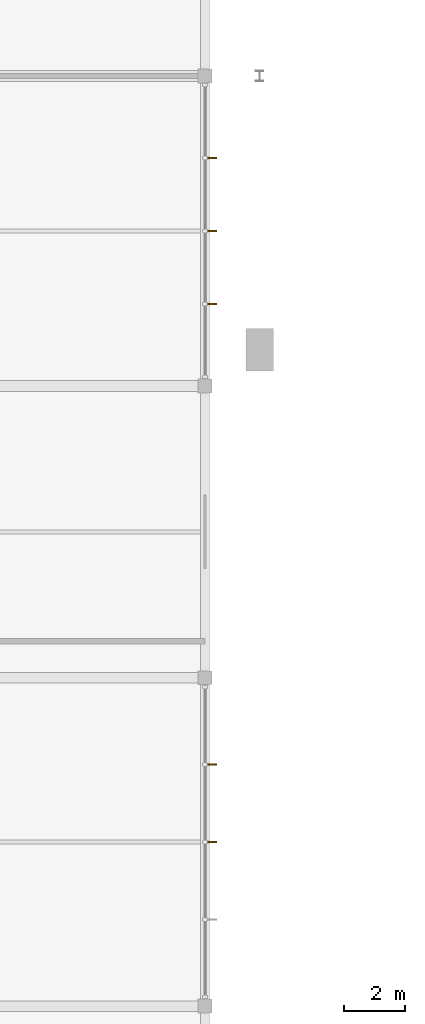
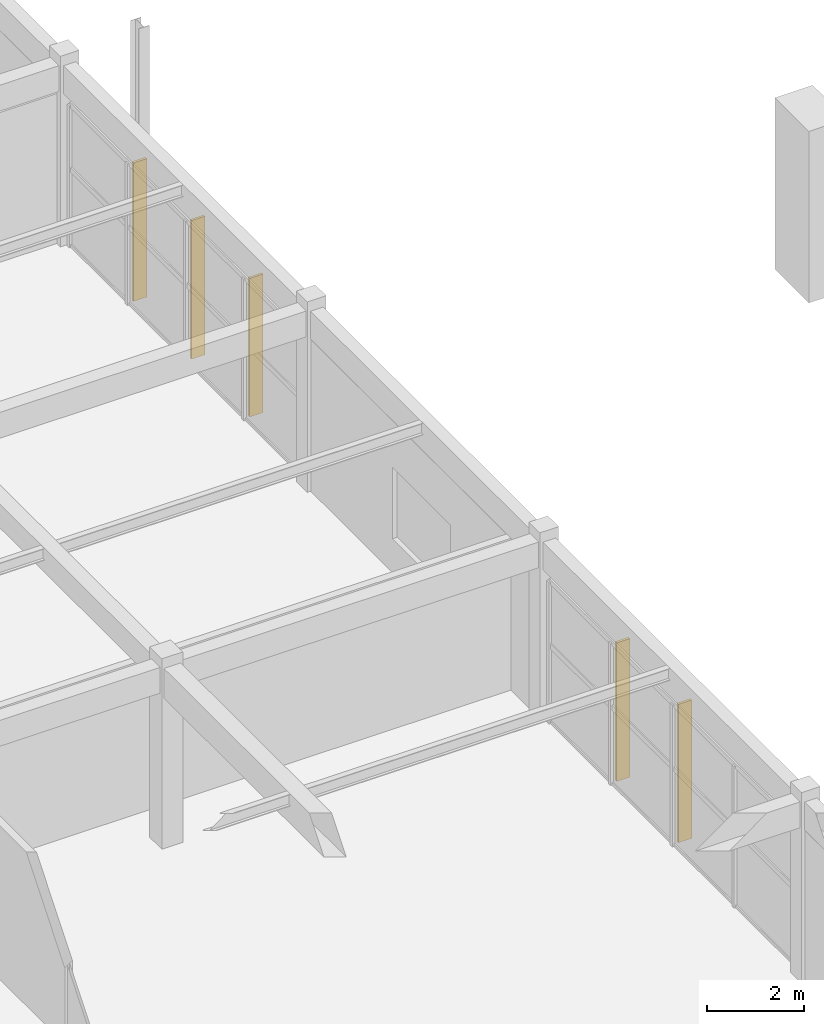
# One storey, part 60 of 74: 5 shading devices.
"""IFC4 building model written with IfcOpenShell, lengths in metres."""

from ifc_helpers import new_model, si_unit, direction, frame, origin, origin_2d, place, context, subcontext, project, spatial, rectangle, extrude, material, type_object, element, save


model = new_model("IFC4")

# Units and contexts
model_context = context("Model", 3, precision=1e-05, world=origin(), true_north=direction((0.0, 1.0)))
body_context = subcontext(model_context, "Body", "Model", "MODEL_VIEW")
ifc_project = project(units=[si_unit("LENGTHUNIT", "METRE"), si_unit("AREAUNIT", "SQUARE_METRE"), si_unit("VOLUMEUNIT", "CUBIC_METRE"), si_unit("PLANEANGLEUNIT", "RADIAN"), si_unit("MASSUNIT", "GRAM", prefix="KILO")], contexts=[model_context])

# Site, building, storey
site_placement = place(None, origin())
site = spatial("IfcSite", under=ifc_project, at=site_placement, CompositionType="ELEMENT")
building_placement = place(site_placement, origin())
building = spatial("IfcBuilding", under=site, at=building_placement, Name="Suirenkawa Promenade Aquatics Centre", CompositionType="ELEMENT")
storey_placement = place(building_placement, frame((0.0, 0.0, 4.800048828125)))
storey = spatial("IfcBuildingStorey", under=building, at=storey_placement, Name="L01", CompositionType="ELEMENT", Elevation=4.800048828125)

# Shading devices
ifc_material = material(Name="Anodised aluminium 6063-T6", Category="aluminium")
shading_device_type = type_object("IfcShadingDeviceType", Name="SDT-KOUSHI-320", PredefinedType="USERDEFINED", material=ifc_material)
for number, where, z_axis, x_axis, name in (
    (1, (45.23193359375, 36.75048828125, 0.0400390625), (0.0, 0.0, 1.0), (1.0, 0.0, 0.0), "Vertical solar shading fin FN-02 FIN-0106"),
    (2, (45.23193359375, 34.199951171875, 0.0400390625), (0.0, 0.0, 1.0), (1.0, 0.0, 0.0), "Vertical solar shading fin FN-02 FIN-0107"),
    (3, (45.23193359375, 56.700439453125, 0.0400390625), (0.0, 0.0, 1.0), (1.0, 0.0, 0.0), "Vertical solar shading fin FN-02 FIN-0115"),
    (4, (45.23193359375, 54.300048828125, 0.0400390625), (0.0, 0.0, 1.0), (1.0, 0.0, 0.0), "Vertical solar shading fin FN-02 FIN-0116"),
    (5, (45.23193359375, 51.8994140625, 0.0400390625), (0.0, 0.0, 1.0), (1.0, 0.0, 0.0), "Vertical solar shading fin FN-02 FIN-0117"),
):
    element("IfcShadingDevice", number, at=place(storey_placement, frame(where, z_axis=z_axis, x_axis=x_axis)), inside=storey, type_object=shading_device_type, Name=name, ObjectType="FIN", PredefinedType="USERDEFINED", context=body_context, shape_type="SweptSolid", body=[
        extrude(rectangle(XDim=0.320068359375, YDim=0.06005859375, at=origin_2d()), origin(), (0.0, 0.0, 1.0), 3.489990234375),
    ])

save(model, "model.ifc")
